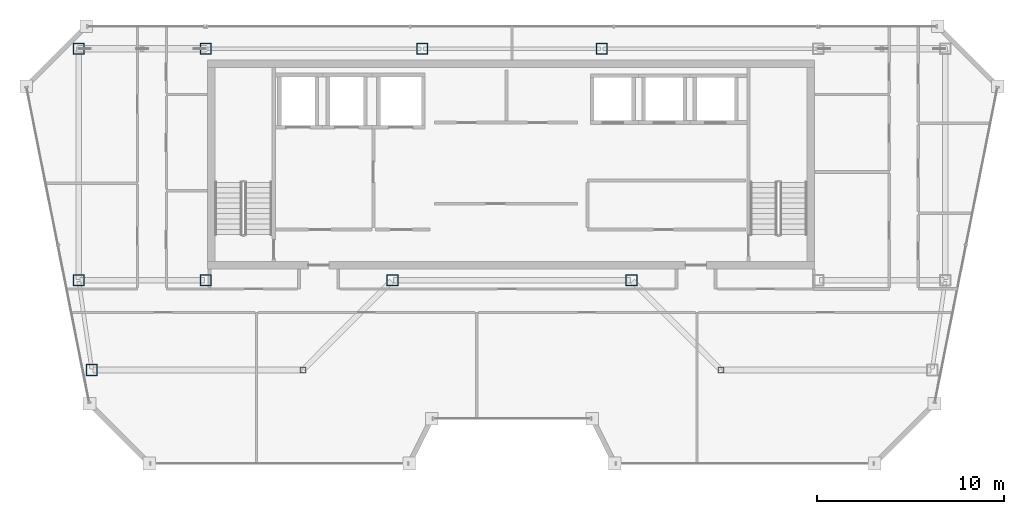
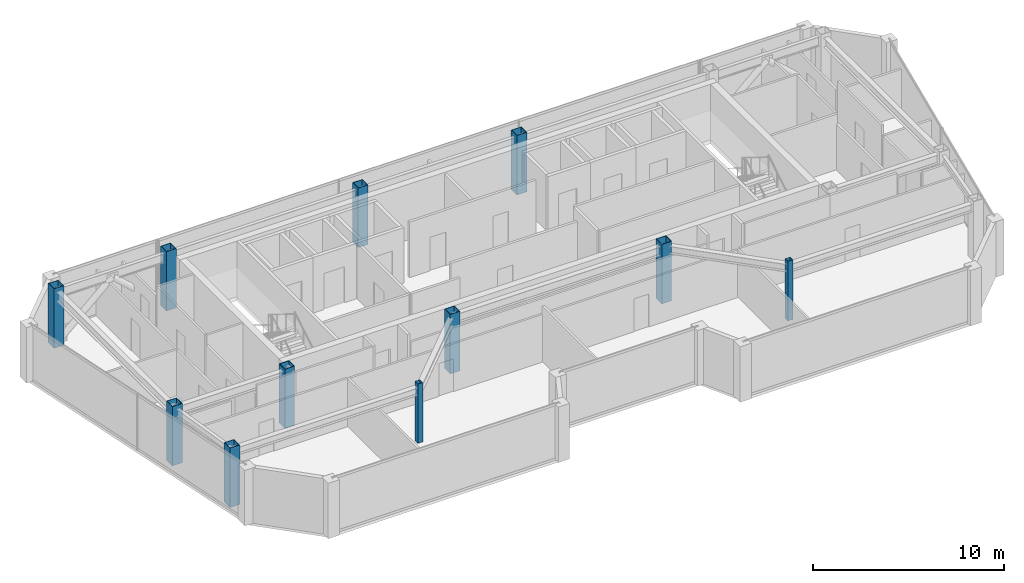
# One storey, part 1 of 23: 11 columns.
"""IFC4 building model written with IfcOpenShell, lengths in metres."""

from ifc_helpers import new_model, si_unit, direction, frame, origin, origin_2d, place, context, subcontext, project, spatial, hollow_rectangle, extrude, material, material_profile, profile_set, type_object, element, save


model = new_model("IFC4")

# Units and contexts
model_context = context("Model", 3, precision=1e-05, world=origin(), true_north=direction((0.0, 1.0)))
body_context = subcontext(model_context, "Body", "Model", "MODEL_VIEW")
ifc_project = project(units=[si_unit("LENGTHUNIT", "METRE"), si_unit("AREAUNIT", "SQUARE_METRE"), si_unit("VOLUMEUNIT", "CUBIC_METRE"), si_unit("PLANEANGLEUNIT", "RADIAN"), si_unit("MASSUNIT", "GRAM", prefix="KILO")], contexts=[model_context])

# Site, building, storey
site_placement = place(None, origin())
site = spatial("IfcSite", under=ifc_project, at=site_placement, CompositionType="ELEMENT")
building_placement = place(site_placement, origin())
building = spatial("IfcBuilding", under=site, at=building_placement, Name="Saevonmaru Cultural Tower", CompositionType="ELEMENT")
storey_placement = place(building_placement, frame((0.0, 0.0, 302.800048828125)))
storey = spatial("IfcBuildingStorey", under=building, at=storey_placement, Name="L72", CompositionType="ELEMENT", Elevation=302.800048828125)

# Columns
ifc_material = material(Name="Steel SM355", Category="steel")
ifc_material_profile_1 = material_profile(ifc_material, hollow_rectangle(XDim=0.60009765625, YDim=0.60009765625, WallThickness=0.028076171875, at=origin_2d()), Name="BOX-600x600x28")
ifc_profile_set_1 = profile_set([ifc_material_profile_1], Name="Steel SM355")
column_type_1 = type_object("IfcColumnType", Name="COL-BOX-600", PredefinedType="COLUMN", material=ifc_profile_set_1)
for number, where, z_axis, x_axis, name in (
    (1, (6.800048828125, 54.800048828125, 0.0), (0.0, 0.0, 1.0), (1.0, 0.0, 0.0), "L72 Column TC-N1N"),
    (2, (13.60009765625, 54.800048828125, 0.0), (0.0, 0.0, 1.0), (1.0, 0.0, 0.0), "L72 Column TC-N2N"),
    (3, (25.199951171875, 54.800048828125, 0.0), (0.0, 0.0, 1.0), (1.0, 0.0, 0.0), "L72 Column TC-N3N"),
    (4, (34.800048828125, 54.800048828125, 0.0), (0.0, 0.0, 1.0), (1.0, 0.0, 0.0), "L72 Column TC-N4N"),
    (5, (6.800048828125, 42.39990234375, 0.0), (0.0, 0.0, 1.0), (1.0, 0.0, 0.0), "L72 Column TC-S1C"),
    (6, (13.60009765625, 42.39990234375, 0.0), (0.0, 0.0, 1.0), (1.0, 0.0, 0.0), "L72 Column TC-S2C"),
    (7, (23.60009765625, 42.39990234375, 0.0), (0.0, 0.0, 1.0), (1.0, 0.0, 0.0), "L72 Column TC-S3C"),
    (8, (36.39990234375, 42.39990234375, 0.0), (0.0, 0.0, 1.0), (1.0, 0.0, 0.0), "L72 Column TC-S4C"),
    (9, (7.508056640625, 37.60009765625, 0.0), (0.0, 0.0, 1.0), (1.0, 0.0, 0.0), "L72 Column TC-WO-Y376"),
):
    element("IfcColumn", number, at=place(storey_placement, frame(where, z_axis=z_axis, x_axis=x_axis)), inside=storey, type_object=column_type_1, Name=name, PredefinedType="COLUMN", context=body_context, shape_type="SweptSolid", body=[
        extrude(hollow_rectangle(XDim=0.60009765625, YDim=0.60009765625, WallThickness=0.028076171875, at=origin_2d()), origin(), (0.0, 0.0, 1.0), 3.800048828125),
    ])
ifc_material_profile_2 = material_profile(ifc_material, hollow_rectangle(XDim=0.300048828125, YDim=0.300048828125, WallThickness=0.011962890625, at=origin_2d()), Name="SHS-300x300x12")
ifc_profile_set_2 = profile_set([ifc_material_profile_2], Name="Steel SM355")
column_type_2 = type_object("IfcColumnType", Name="COL-SHS-300", PredefinedType="COLUMN", material=ifc_profile_set_2)
for number, where, z_axis, x_axis, name in (
    (10, (18.80810546875, 37.60009765625, 0.0), (0.0, 0.0, 1.0), (1.0, 0.0, 0.0), "L72 Column TC-WI-Y376"),
    (11, (41.19189453125, 37.60009765625, 0.0), (0.0, 0.0, 1.0), (1.0, 0.0, 0.0), "L72 Column TC-EI-Y376"),
):
    element("IfcColumn", number, at=place(storey_placement, frame(where, z_axis=z_axis, x_axis=x_axis)), inside=storey, type_object=column_type_2, Name=name, PredefinedType="COLUMN", context=body_context, shape_type="SweptSolid", body=[
        extrude(hollow_rectangle(XDim=0.300048828125, YDim=0.300048828125, WallThickness=0.011962890625, at=origin_2d()), origin(), (0.0, 0.0, 1.0), 3.800048828125),
    ])

save(model, "model.ifc")
